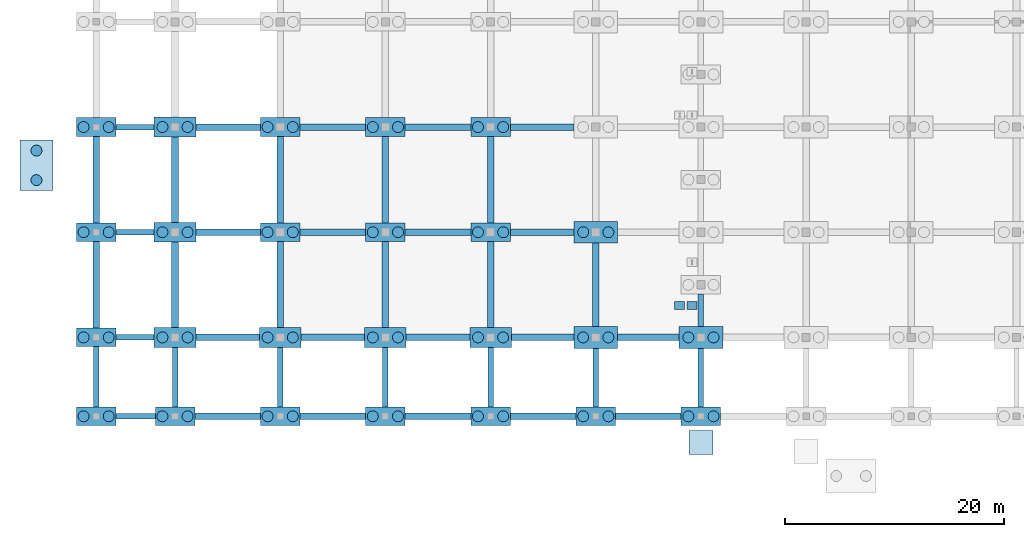
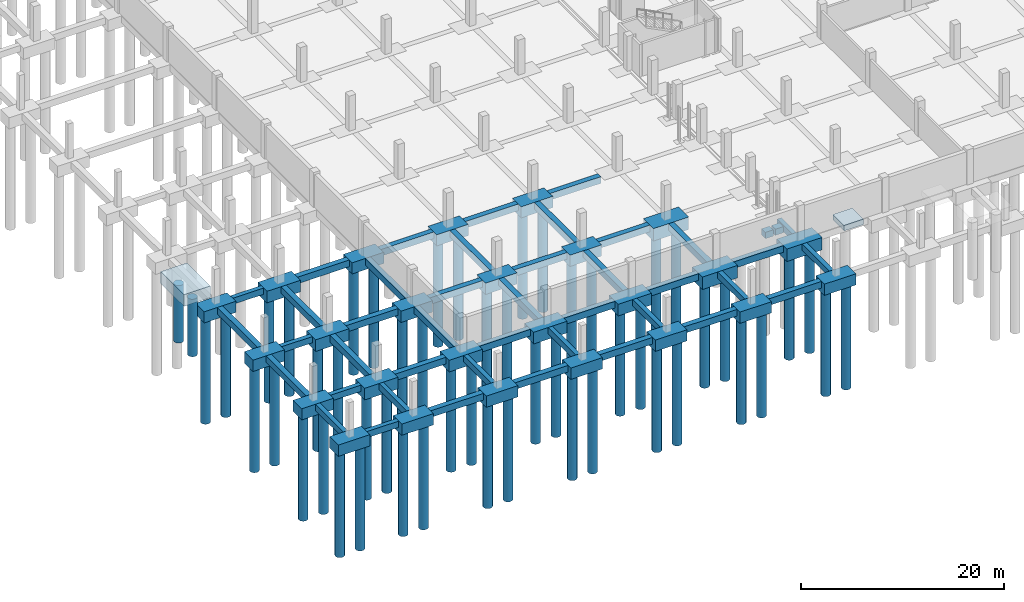
# One storey, part 1 of 54: 70 footings, 52 piles.
"""IFC4 building model written with IfcOpenShell, lengths in metres."""

import ifcopenshell
import ifcopenshell.guid

model = None  # the IFC model being written
_history = None  # IfcOwnerHistory: only IFC2X3 demands one
_inside = {}  # id of a spatial element -> (the spatial element, [elements in it])
_under = {}  # id of a project, library or spatial element -> (it, [spatial elements below it])
_declared = {}  # id of a project -> (the project, [libraries it declares])
_typed = {}  # id of a type object -> (the type object, [elements of that type])
_made_of = {}  # id of a material, layer set ... -> (it, [elements and type objects made of it])


def new_model(schema):
    """Start an empty IFC model of exactly this schema.

    Asked for "IFC4X3", IfcOpenShell would pick the latest addendum, in which some entities
    have other attributes; the version numbers below select the first issue.
    IFC2X3 requires an IfcOwnerHistory on every rooted entity: one is made here for all.
    """
    global model, _history
    if schema == "IFC4X3":
        model = ifcopenshell.file(schema_version=(4, 3, 0, 0))
    else:
        model = ifcopenshell.file(schema=schema)
    _inside.clear()
    _under.clear()
    _declared.clear()
    _typed.clear()
    _made_of.clear()
    _history = None
    if model.schema == "IFC2X3":
        org = make("IfcOrganization", Name="unknown")
        user = make(
            "IfcPersonAndOrganization",
            ThePerson=make("IfcPerson", FamilyName="unknown"),
            TheOrganization=org,
        )
        app = make(
            "IfcApplication",
            ApplicationDeveloper=org,
            Version="unknown",
            ApplicationFullName="unknown",
            ApplicationIdentifier="unknown",
        )
        _history = make(
            "IfcOwnerHistory",
            OwningUser=user,
            OwningApplication=app,
            ChangeAction="ADDED",
            CreationDate=0,
        )
    return model


def make(cls, **values):
    """One entity of the class cls with the attributes given. An attribute that is None is left unset."""
    return model.create_entity(
        cls, **{name: value for name, value in values.items() if value is not None}
    )


def rooted(cls, **values):
    """An entity with a GlobalId (a new one), such as an element, a storey or a relation."""
    return make(cls, GlobalId=ifcopenshell.guid.new(), OwnerHistory=_history, **values)


def si_unit(unit_type, name, prefix=None):
    """IfcSIUnit, for example si_unit("LENGTHUNIT", "METRE", prefix="MILLI")."""
    return make("IfcSIUnit", UnitType=unit_type, Prefix=prefix, Name=name)


def assignment(units):
    """IfcUnitAssignment: the units of a project."""
    return None if units is None else make("IfcUnitAssignment", Units=units)


def point(xyz):
    """IfcCartesianPoint."""
    return None if xyz is None else make("IfcCartesianPoint", Coordinates=xyz)


def direction(xyz):
    """IfcDirection."""
    return None if xyz is None else make("IfcDirection", DirectionRatios=xyz)


def frame(location, z_axis=None, x_axis=None):
    """IfcAxis2Placement3D, a coordinate frame: its origin and axes. An axis left out is left unset."""
    return make(
        "IfcAxis2Placement3D",
        Location=point(location),
        Axis=direction(z_axis),
        RefDirection=direction(x_axis),
    )


def frame_2d(location, x_axis=None):
    """IfcAxis2Placement2D, a coordinate frame in the plane: its origin and x axis."""
    return make(
        "IfcAxis2Placement2D", Location=point(location), RefDirection=direction(x_axis)
    )


def origin():
    """The frame at (0, 0, 0) with its axes left unset."""
    return frame((0.0, 0.0, 0.0))


def origin_2d():
    """The frame at (0, 0) in the plane with its x axis left unset."""
    return frame_2d((0.0, 0.0))


def place(relative_to, where):
    """IfcLocalPlacement: puts the frame where relative to a parent placement (None: the world)."""
    return make(
        "IfcLocalPlacement", PlacementRelTo=relative_to, RelativePlacement=where
    )


def context(
    kind, dimensions, precision=None, world=None, true_north=None, identifier=None
):
    """IfcGeometricRepresentationContext, for example the 3D "Model" context."""
    return make(
        "IfcGeometricRepresentationContext",
        ContextIdentifier=identifier,
        ContextType=kind,
        CoordinateSpaceDimension=dimensions,
        Precision=precision,
        WorldCoordinateSystem=world,
        TrueNorth=true_north,
    )


def subcontext(parent, identifier, kind, view, scale=None):
    """IfcGeometricRepresentationSubContext, for example "Body" below "Model"."""
    return make(
        "IfcGeometricRepresentationSubContext",
        ContextIdentifier=identifier,
        ContextType=kind,
        ParentContext=parent,
        TargetScale=scale,
        TargetView=view,
    )


def project(units=None, contexts=None):
    """IfcProject with its units and contexts."""
    return rooted(
        "IfcProject",
        Name="project",
        RepresentationContexts=contexts,
        UnitsInContext=assignment(units),
    )


def spatial(cls, under=None, at=None, **own):
    """A site, building, storey or space (cls), placed at a placement, below another one or the project."""
    s = rooted(cls, ObjectPlacement=at, **own)
    if under is not None:
        _under.setdefault(under.id(), (under, []))[1].append(s)
    return s


def profile(cls, at=None, kind="AREA", **sizes):
    """A parametric profile (cls). Its sizes go by their IFC names, for example OverallWidth=200.0."""
    return make(cls, ProfileType=kind, Position=at, **sizes)


def rectangle(**sizes):
    """IfcRectangleProfileDef."""
    return profile("IfcRectangleProfileDef", **sizes)


def circle(**sizes):
    """IfcCircleProfileDef."""
    return profile("IfcCircleProfileDef", **sizes)


def extrude(swept, where, along, depth):
    """IfcExtrudedAreaSolid: the profile swept, set in the frame where, extruded along a direction by depth."""
    return make(
        "IfcExtrudedAreaSolid",
        SweptArea=swept,
        Position=where,
        ExtrudedDirection=direction(along),
        Depth=depth,
    )


def shape(context_of_items, identifier, shape_type, items):
    """IfcShapeRepresentation: the items that make up one representation, for example the "Body"."""
    return make(
        "IfcShapeRepresentation",
        ContextOfItems=context_of_items,
        RepresentationIdentifier=identifier,
        RepresentationType=shape_type,
        Items=items,
    )


def material(Name=None, Category=None):
    """IfcMaterial."""
    return make("IfcMaterial", Name=Name, Category=Category)


def material_profile(
    of_material, cross_section, Name=None, Category=None, Priority=None
):
    """IfcMaterialProfile: a cross section and its material."""
    return make(
        "IfcMaterialProfile",
        Name=Name,
        Material=of_material,
        Profile=cross_section,
        Priority=Priority,
        Category=Category,
    )


def profile_set(profiles, Name=None, composite=None):
    """IfcMaterialProfileSet."""
    return make(
        "IfcMaterialProfileSet",
        Name=Name,
        MaterialProfiles=profiles,
        CompositeProfile=composite,
    )


def made_of(thing, what):
    """Note that an element or type object is made of a material, layer set ...; save() writes the relation."""
    if what is not None:
        _made_of.setdefault(what.id(), (what, []))[1].append(thing)
    return thing


def type_object(cls, material=None, **own):
    """A type object (cls), such as IfcWallType, which elements share."""
    return made_of(rooted(cls, **own), material)


def element(
    cls,
    number,
    at=None,
    inside=None,
    cuts=None,
    type_object=None,
    material=None,
    context=None,
    identifier="Body",
    shape_type=None,
    held_by="IfcProductDefinitionShape",
    body=None,
    shapes=None,
    **own,
):
    """One element of the class cls, such as IfcWall. Its Tag is "e" and its number.

    at: its placement. inside: the storey or other place that contains it. cuts: it is an
    opening in that element (IfcRelVoidsElement). A single representation is given by context,
    identifier, shape_type and body (its items); several are given by shapes. held_by: the class
    of the entity that holds the representations. save() writes the other relations.
    """
    e = rooted(cls, Tag="e%d" % number, ObjectPlacement=at, **own)
    if body is not None:
        shapes = [shape(context, identifier, shape_type, body)]
    if shapes is not None:
        e.Representation = make(held_by, Representations=shapes)
    if inside is not None:
        _inside.setdefault(inside.id(), (inside, []))[1].append(e)
    if cuts is not None:
        rooted(
            "IfcRelVoidsElement", RelatingBuildingElement=cuts, RelatedOpeningElement=e
        )
    if type_object is not None:
        _typed.setdefault(type_object.id(), (type_object, []))[1].append(e)
    return made_of(e, material)


def aggregate(whole, parts):
    """IfcRelAggregates: a whole, such as a stair, and the parts it consists of."""
    return rooted("IfcRelAggregates", RelatingObject=whole, RelatedObjects=parts)


def save(model, path):
    """Write the relations noted so far, then the file.

    IfcRelAggregates (storeys below a building ...), IfcRelContainedInSpatialStructure (elements
    in a storey), IfcRelDefinesByType, IfcRelAssociatesMaterial and IfcRelDeclares: one each for
    every whole, place, type object, material and project.
    """
    for whole, parts in _under.values():
        aggregate(whole, parts)
    for where, things in _inside.values():
        rooted(
            "IfcRelContainedInSpatialStructure",
            RelatedElements=things,
            RelatingStructure=where,
        )
    for kind, things in _typed.values():
        rooted("IfcRelDefinesByType", RelatedObjects=things, RelatingType=kind)
    for what, things in _made_of.values():
        rooted("IfcRelAssociatesMaterial", RelatedObjects=things, RelatingMaterial=what)
    for by, libraries in _declared.values():
        rooted("IfcRelDeclares", RelatingContext=by, RelatedDefinitions=libraries)
    model.write(path)


model = new_model("IFC4")

# Units and contexts
model_context = context("Model", 3, precision=1e-05, world=origin(), true_north=direction((0.0, 1.0)))
body_context = subcontext(model_context, "Body", "Model", "MODEL_VIEW")
ifc_project = project(units=[si_unit("LENGTHUNIT", "METRE"), si_unit("AREAUNIT", "SQUARE_METRE"), si_unit("VOLUMEUNIT", "CUBIC_METRE"), si_unit("PLANEANGLEUNIT", "RADIAN"), si_unit("MASSUNIT", "GRAM", prefix="KILO")], contexts=[model_context])

# Site, building, storey
site_placement = place(None, origin())
site = spatial("IfcSite", under=ifc_project, at=site_placement, CompositionType="ELEMENT")
building_placement = place(site_placement, origin())
building = spatial("IfcBuilding", under=site, at=building_placement, Name="Zevrakil Square Congress Hotel", CompositionType="ELEMENT")
storey_placement = place(building_placement, frame((0.0, 0.0, -8.39990234375)))
storey = spatial("IfcBuildingStorey", under=building, at=storey_placement, Name="B2", CompositionType="ELEMENT", Elevation=-8.39990234375)

# Footings
ifc_material_1 = material(Name="Concrete C35/45", Category="concrete")
footing_type_1 = type_object("IfcFootingType", Name="FTG-PAD-2200", PredefinedType="PAD_FOOTING", material=ifc_material_1)
footing_1_placement = place(storey_placement, frame((55.199951171875, -2.39990234375, 7.75), z_axis=(0.0, 0.0, 1.0), x_axis=(1.0, 0.0, 0.0)))
element("IfcFooting", 1, at=footing_1_placement, inside=storey, type_object=footing_type_1, Name="South entrance canopy pad footing CPC-01", PredefinedType="PAD_FOOTING", context=body_context, shape_type="SweptSolid", body=[
    extrude(rectangle(XDim=2.199951171875, YDim=2.199951171875, at=origin_2d()), origin(), (0.0, 0.0, 1.0), 0.64990234375),
])
ifc_material_2 = material(Name="Concrete C35/45", Category="concrete")
footing_type_2 = type_object("IfcFootingType", Name="FTG-PC2-300x460", PredefinedType="PILE_CAP", material=ifc_material_2)
footing_2_placement = place(storey_placement, frame((-5.449951171875, 22.89990234375, 5.449951171875), z_axis=(0.0, 0.0, 1.0), x_axis=(1.0, 0.0, 0.0)))
element("IfcFooting", 2, at=footing_2_placement, inside=storey, type_object=footing_type_2, Name="Accessible ramp apron two-pile cap PR-03", PredefinedType="PILE_CAP", context=body_context, shape_type="SweptSolid", body=[
    extrude(rectangle(XDim=3.0, YDim=4.60009765625, at=origin_2d()), origin(), (0.0, 0.0, 1.0), 1.39990234375),
])
ifc_material_3 = material(Name="Concrete C35/45", Category="concrete")
footing_type_3 = type_object("IfcFootingType", Name="FTG-PC2-360", PredefinedType="PILE_CAP", material=ifc_material_3)
for number, where, z_axis, x_axis, name in (
    (3, (0.0, 0.0, -1.35009765625), (0.0, 0.0, 1.0), (1.0, 0.0, 0.0), "Pile cap PC2-001"),
    (4, (0.0, 7.199951171875, -1.35009765625), (0.0, 0.0, 1.0), (1.0, 0.0, 0.0), "Pile cap PC2-002"),
    (5, (0.0, 16.800048828125, -1.35009765625), (0.0, 0.0, 1.0), (1.0, 0.0, 0.0), "Pile cap PC2-003"),
    (6, (0.0, 26.39990234375, -1.35009765625), (0.0, 0.0, 1.0), (1.0, 0.0, 0.0), "Pile cap PC2-004"),
    (7, (7.199951171875, 0.0, -1.35009765625), (0.0, 0.0, 1.0), (1.0, 0.0, 0.0), "Pile cap PC2-014"),
    (8, (16.800048828125, 0.0, -1.35009765625), (0.0, 0.0, 1.0), (1.0, 0.0, 0.0), "Pile cap PC2-028"),
    (9, (16.800048828125, 16.800048828125, -1.35009765625), (0.0, 0.0, 1.0), (1.0, 0.0, 0.0), "Pile cap PC2-030"),
    (10, (16.800048828125, 26.39990234375, -1.35009765625), (0.0, 0.0, 1.0), (1.0, 0.0, 0.0), "Pile cap PC2-031"),
    (11, (26.39990234375, 0.0, -1.35009765625), (0.0, 0.0, 1.0), (1.0, 0.0, 0.0), "Pile cap PC2-042"),
    (12, (26.39990234375, 16.800048828125, -1.35009765625), (0.0, 0.0, 1.0), (1.0, 0.0, 0.0), "Pile cap PC2-044"),
    (13, (26.39990234375, 26.39990234375, -1.35009765625), (0.0, 0.0, 1.0), (1.0, 0.0, 0.0), "Pile cap PC2-045"),
    (14, (36.0, 0.0, -1.35009765625), (0.0, 0.0, 1.0), (1.0, 0.0, 0.0), "Pile cap PC2-056"),
    (15, (36.0, 16.800048828125, -1.35009765625), (0.0, 0.0, 1.0), (1.0, 0.0, 0.0), "Pile cap PC2-058"),
    (16, (36.0, 26.39990234375, -1.35009765625), (0.0, 0.0, 1.0), (1.0, 0.0, 0.0), "Pile cap PC2-059"),
    (17, (45.60009765625, 0.0, -1.35009765625), (0.0, 0.0, 1.0), (1.0, 0.0, 0.0), "Pile cap PC2-070"),
    (18, (55.199951171875, 0.0, -1.35009765625), (0.0, 0.0, 1.0), (1.0, 0.0, 0.0), "Pile cap PC2-084"),
):
    element("IfcFooting", number, at=place(storey_placement, frame(where, z_axis=z_axis, x_axis=x_axis)), inside=storey, type_object=footing_type_3, Name=name, PredefinedType="PILE_CAP", context=body_context, shape_type="SweptSolid", body=[
        extrude(rectangle(XDim=3.60009765625, YDim=1.699951171875, at=origin_2d()), origin(), (0.0, 0.0, 1.0), 1.35009765625),
    ])
ifc_material_4 = material(Name="Concrete C35/45", Category="concrete")
footing_type_4 = type_object("IfcFootingType", Name="FTG-PC2-380", PredefinedType="PILE_CAP", material=ifc_material_4)
for number, where, z_axis, x_axis, name in (
    (19, (7.199951171875, 7.199951171875, -1.400146484375), (0.0, 0.0, 1.0), (1.0, 0.0, 0.0), "Pile cap PC2-015"),
    (20, (7.199951171875, 16.800048828125, -1.400146484375), (0.0, 0.0, 1.0), (1.0, 0.0, 0.0), "Pile cap PC2-016"),
    (21, (7.199951171875, 26.39990234375, -1.400146484375), (0.0, 0.0, 1.0), (1.0, 0.0, 0.0), "Pile cap PC2-017"),
    (22, (16.800048828125, 7.199951171875, -1.400146484375), (0.0, 0.0, 1.0), (1.0, 0.0, 0.0), "Pile cap PC2-029"),
    (23, (26.39990234375, 7.199951171875, -1.400146484375), (0.0, 0.0, 1.0), (1.0, 0.0, 0.0), "Pile cap PC2-043"),
    (24, (36.0, 7.199951171875, -1.400146484375), (0.0, 0.0, 1.0), (1.0, 0.0, 0.0), "Pile cap PC2-057"),
):
    element("IfcFooting", number, at=place(storey_placement, frame(where, z_axis=z_axis, x_axis=x_axis)), inside=storey, type_object=footing_type_4, Name=name, PredefinedType="PILE_CAP", context=body_context, shape_type="SweptSolid", body=[
        extrude(rectangle(XDim=3.800048828125, YDim=1.800048828125, at=origin_2d()), origin(), (0.0, 0.0, 1.0), 1.39990234375),
    ])
ifc_material_5 = material(Name="Concrete C35/45", Category="concrete")
footing_type_5 = type_object("IfcFootingType", Name="FTG-PC2-400", PredefinedType="PILE_CAP", material=ifc_material_5)
for number, where, z_axis, x_axis, name in (
    (25, (45.60009765625, 7.199951171875, -1.5), (0.0, 0.0, 1.0), (1.0, 0.0, 0.0), "Pile cap PC2-071"),
    (26, (45.60009765625, 16.800048828125, -1.5), (0.0, 0.0, 1.0), (1.0, 0.0, 0.0), "Pile cap PC2-072"),
    (27, (55.199951171875, 7.199951171875, -1.5), (0.0, 0.0, 1.0), (1.0, 0.0, 0.0), "Pile cap PC2-085"),
):
    element("IfcFooting", number, at=place(storey_placement, frame(where, z_axis=z_axis, x_axis=x_axis)), inside=storey, type_object=footing_type_5, Name=name, PredefinedType="PILE_CAP", context=body_context, shape_type="SweptSolid", body=[
        extrude(rectangle(XDim=4.0, YDim=2.0, at=origin_2d()), origin(), (0.0, 0.0, 1.0), 1.5),
    ])
ifc_material_6 = material(Name="Concrete C35/45", Category="concrete")
ifc_material_profile_1 = material_profile(ifc_material_6, rectangle(XDim=0.75, YDim=0.75, at=origin_2d()), Name="RC 750x750")
ifc_profile_set_1 = profile_set([ifc_material_profile_1], Name="Concrete C35/45")
footing_type_6 = type_object("IfcFootingType", Name="FTG-STRIP-750", PredefinedType="STRIP_FOOTING", material=ifc_profile_set_1)
footing_3_placement = place(storey_placement, frame((52.800048828125, 10.10009765625, -0.375), z_axis=(1.0, 0.0, 0.0), x_axis=(0.0, 1.0, 0.0)))
element("IfcFooting", 28, at=footing_3_placement, inside=storey, type_object=footing_type_6, Name="B2 stair post footing ST12-1", PredefinedType="STRIP_FOOTING", context=body_context, shape_type="SweptSolid", body=[
    extrude(rectangle(XDim=0.75, YDim=0.75, at=origin_2d()), origin(), (0.0, 0.0, 1.0), 0.89990234375),
])
footing_4_placement = place(storey_placement, frame((53.929931640625, 10.10009765625, -0.375), z_axis=(1.0, 0.0, 0.0), x_axis=(0.0, 1.0, 0.0)))
element("IfcFooting", 29, at=footing_4_placement, inside=storey, type_object=footing_type_6, Name="B2 stair post footing ST12-2", PredefinedType="STRIP_FOOTING", context=body_context, shape_type="SweptSolid", body=[
    extrude(rectangle(XDim=0.75, YDim=0.75, at=origin_2d()), origin(), (0.0, 0.0, 1.0), 0.900146484375),
])
ifc_material_7 = material(Name="Concrete C35/45", Category="concrete")
ifc_material_profile_2 = material_profile(ifc_material_7, rectangle(XDim=0.5, YDim=0.75, at=origin_2d()), Name="RC 500x750")
ifc_profile_set_2 = profile_set([ifc_material_profile_2], Name="Concrete C35/45")
footing_type_7 = type_object("IfcFootingType", Name="FTG-TIE-500x750", PredefinedType="FOOTING_BEAM", material=ifc_profile_set_2)
footing_5_placement = place(storey_placement, frame((1.800048828125, 0.0, -0.375), z_axis=(1.0, 0.0, 0.0), x_axis=(0.0, 1.0, 0.0)))
element("IfcFooting", 30, at=footing_5_placement, inside=storey, type_object=footing_type_7, Name="Ground tie beam GB-001", PredefinedType="FOOTING_BEAM", context=body_context, shape_type="SweptSolid", body=[
    extrude(rectangle(XDim=0.5, YDim=0.75, at=origin_2d()), origin(), (0.0, 0.0, 1.0), 3.599853515625),
])
for number, where, z_axis, x_axis, name in (
    (31, (1.800048828125, 7.199951171875, -0.375), (1.0, 0.0, 0.0), (0.0, 1.0, 0.0), "Ground tie beam GB-020"),
    (32, (1.800048828125, 16.800048828125, -0.375), (1.0, 0.0, 0.0), (0.0, 1.0, 0.0), "Ground tie beam GB-036"),
    (33, (1.800048828125, 26.39990234375, -0.375), (1.0, 0.0, 0.0), (0.0, 1.0, 0.0), "Ground tie beam GB-054"),
):
    element("IfcFooting", number, at=place(storey_placement, frame(where, z_axis=z_axis, x_axis=x_axis)), inside=storey, type_object=footing_type_7, Name=name, PredefinedType="FOOTING_BEAM", context=body_context, shape_type="SweptSolid", body=[
        extrude(rectangle(XDim=0.5, YDim=0.75, at=origin_2d()), origin(), (0.0, 0.0, 1.0), 3.5),
    ])
footing_6_placement = place(storey_placement, frame((0.0, 0.85009765625, -0.375), z_axis=(0.0, 1.0, 0.0), x_axis=(-1.0, 0.0, 0.0)))
element("IfcFooting", 34, at=footing_6_placement, inside=storey, type_object=footing_type_7, Name="Ground tie beam GB-215", PredefinedType="FOOTING_BEAM", context=body_context, shape_type="SweptSolid", body=[
    extrude(rectangle(XDim=0.5, YDim=0.75, at=origin_2d()), origin(), (0.0, 0.0, 1.0), 5.5),
])
for number, where, z_axis, x_axis, name in (
    (35, (7.199951171875, 0.85009765625, -0.375), (0.0, 1.0, 0.0), (-1.0, 0.0, 0.0), "Ground tie beam GB-227"),
    (36, (16.800048828125, 0.85009765625, -0.375), (0.0, 1.0, 0.0), (-1.0, 0.0, 0.0), "Ground tie beam GB-237"),
    (37, (26.39990234375, 0.85009765625, -0.375), (0.0, 1.0, 0.0), (-1.0, 0.0, 0.0), "Ground tie beam GB-250"),
    (38, (36.0, 0.85009765625, -0.375), (0.0, 1.0, 0.0), (-1.0, 0.0, 0.0), "Ground tie beam GB-262"),
):
    element("IfcFooting", number, at=place(storey_placement, frame(where, z_axis=z_axis, x_axis=x_axis)), inside=storey, type_object=footing_type_7, Name=name, PredefinedType="FOOTING_BEAM", context=body_context, shape_type="SweptSolid", body=[
        extrude(rectangle(XDim=0.5, YDim=0.75, at=origin_2d()), origin(), (0.0, 0.0, 1.0), 5.449951171875),
    ])
for number, where, z_axis, x_axis, name in (
    (39, (45.60009765625, 0.85009765625, -0.375), (0.0, 1.0, 0.0), (-1.0, 0.0, 0.0), "Ground tie beam GB-275"),
    (40, (55.199951171875, 0.85009765625, -0.375), (0.0, 1.0, 0.0), (-1.0, 0.0, 0.0), "Ground tie beam GB-288"),
):
    element("IfcFooting", number, at=place(storey_placement, frame(where, z_axis=z_axis, x_axis=x_axis)), inside=storey, type_object=footing_type_7, Name=name, PredefinedType="FOOTING_BEAM", context=body_context, shape_type="SweptSolid", body=[
        extrude(rectangle(XDim=0.5, YDim=0.75, at=origin_2d()), origin(), (0.0, 0.0, 1.0), 5.349853515625),
    ])
footing_7_placement = place(storey_placement, frame((55.199951171875, 8.199951171875, -0.375), z_axis=(0.0, 1.0, 0.0), x_axis=(-1.0, 0.0, 0.0)))
element("IfcFooting", 41, at=footing_7_placement, inside=storey, type_object=footing_type_7, Name="Ground tie beam GB-289", PredefinedType="FOOTING_BEAM", context=body_context, shape_type="SweptSolid", body=[
    extrude(rectangle(XDim=0.5, YDim=0.75, at=origin_2d()), origin(), (0.0, 0.0, 1.0), 2.949951171875),
])
ifc_material_8 = material(Name="Concrete C35/45", Category="concrete")
ifc_material_profile_3 = material_profile(ifc_material_8, rectangle(XDim=0.60009765625, YDim=0.800048828125, at=origin_2d()), Name="RC 600x800")
ifc_profile_set_3 = profile_set([ifc_material_profile_3], Name="Concrete C35/45")
footing_type_8 = type_object("IfcFootingType", Name="FTG-TIE-600x800", PredefinedType="FOOTING_BEAM", material=ifc_profile_set_3)
for number, where, z_axis, x_axis, name in (
    (42, (9.0, 0.0, -0.400146484375), (1.0, 0.0, 0.0), (0.0, 1.0, 0.0), "Ground tie beam GB-002"),
    (43, (18.60009765625, 0.0, -0.400146484375), (1.0, 0.0, 0.0), (0.0, 1.0, 0.0), "Ground tie beam GB-003"),
    (44, (28.199951171875, 0.0, -0.400146484375), (1.0, 0.0, 0.0), (0.0, 1.0, 0.0), "Ground tie beam GB-004"),
    (45, (37.800048828125, 0.0, -0.400146484375), (1.0, 0.0, 0.0), (0.0, 1.0, 0.0), "Ground tie beam GB-005"),
    (46, (47.39990234375, 0.0, -0.400146484375), (1.0, 0.0, 0.0), (0.0, 1.0, 0.0), "Ground tie beam GB-006"),
):
    element("IfcFooting", number, at=place(storey_placement, frame(where, z_axis=z_axis, x_axis=x_axis)), inside=storey, type_object=footing_type_8, Name=name, PredefinedType="FOOTING_BEAM", context=body_context, shape_type="SweptSolid", body=[
        extrude(rectangle(XDim=0.60009765625, YDim=0.800048828125, at=origin_2d()), origin(), (0.0, 0.0, 1.0), 6.0),
    ])
footing_8_placement = place(storey_placement, frame((9.10009765625, 7.199951171875, -0.400146484375), z_axis=(1.0, 0.0, 0.0), x_axis=(0.0, 1.0, 0.0)))
element("IfcFooting", 47, at=footing_8_placement, inside=storey, type_object=footing_type_8, Name="Ground tie beam GB-021", PredefinedType="FOOTING_BEAM", context=body_context, shape_type="SweptSolid", body=[
    extrude(rectangle(XDim=0.60009765625, YDim=0.800048828125, at=origin_2d()), origin(), (0.0, 0.0, 1.0), 5.7998046875),
])
for number, where, z_axis, x_axis, name in (
    (48, (18.699951171875, 7.199951171875, -0.400146484375), (1.0, 0.0, 0.0), (0.0, 1.0, 0.0), "Ground tie beam GB-022"),
    (49, (28.300048828125, 7.199951171875, -0.400146484375), (1.0, 0.0, 0.0), (0.0, 1.0, 0.0), "Ground tie beam GB-023"),
):
    element("IfcFooting", number, at=place(storey_placement, frame(where, z_axis=z_axis, x_axis=x_axis)), inside=storey, type_object=footing_type_8, Name=name, PredefinedType="FOOTING_BEAM", context=body_context, shape_type="SweptSolid", body=[
        extrude(rectangle(XDim=0.60009765625, YDim=0.800048828125, at=origin_2d()), origin(), (0.0, 0.0, 1.0), 5.800048828125),
    ])
footing_9_placement = place(storey_placement, frame((37.89990234375, 7.199951171875, -0.400146484375), z_axis=(1.0, 0.0, 0.0), x_axis=(0.0, 1.0, 0.0)))
element("IfcFooting", 50, at=footing_9_placement, inside=storey, type_object=footing_type_8, Name="Ground tie beam GB-024", PredefinedType="FOOTING_BEAM", context=body_context, shape_type="SweptSolid", body=[
    extrude(rectangle(XDim=0.60009765625, YDim=0.800048828125, at=origin_2d()), origin(), (0.0, 0.0, 1.0), 5.7001953125),
])
footing_10_placement = place(storey_placement, frame((47.60009765625, 7.199951171875, -0.400146484375), z_axis=(1.0, 0.0, 0.0), x_axis=(0.0, 1.0, 0.0)))
element("IfcFooting", 51, at=footing_10_placement, inside=storey, type_object=footing_type_8, Name="Ground tie beam GB-025", PredefinedType="FOOTING_BEAM", context=body_context, shape_type="SweptSolid", body=[
    extrude(rectangle(XDim=0.60009765625, YDim=0.800048828125, at=origin_2d()), origin(), (0.0, 0.0, 1.0), 5.599853515625),
])
footing_11_placement = place(storey_placement, frame((9.10009765625, 16.800048828125, -0.400146484375), z_axis=(1.0, 0.0, 0.0), x_axis=(0.0, 1.0, 0.0)))
element("IfcFooting", 52, at=footing_11_placement, inside=storey, type_object=footing_type_8, Name="Ground tie beam GB-037", PredefinedType="FOOTING_BEAM", context=body_context, shape_type="SweptSolid", body=[
    extrude(rectangle(XDim=0.60009765625, YDim=0.800048828125, at=origin_2d()), origin(), (0.0, 0.0, 1.0), 5.89990234375),
])
for number, where, z_axis, x_axis, name in (
    (53, (18.60009765625, 16.800048828125, -0.400146484375), (1.0, 0.0, 0.0), (0.0, 1.0, 0.0), "Ground tie beam GB-038"),
    (54, (28.199951171875, 16.800048828125, -0.400146484375), (1.0, 0.0, 0.0), (0.0, 1.0, 0.0), "Ground tie beam GB-039"),
):
    element("IfcFooting", number, at=place(storey_placement, frame(where, z_axis=z_axis, x_axis=x_axis)), inside=storey, type_object=footing_type_8, Name=name, PredefinedType="FOOTING_BEAM", context=body_context, shape_type="SweptSolid", body=[
        extrude(rectangle(XDim=0.60009765625, YDim=0.800048828125, at=origin_2d()), origin(), (0.0, 0.0, 1.0), 6.0),
    ])
footing_12_placement = place(storey_placement, frame((37.800048828125, 16.800048828125, -0.400146484375), z_axis=(1.0, 0.0, 0.0), x_axis=(0.0, 1.0, 0.0)))
element("IfcFooting", 55, at=footing_12_placement, inside=storey, type_object=footing_type_8, Name="Ground tie beam GB-040", PredefinedType="FOOTING_BEAM", context=body_context, shape_type="SweptSolid", body=[
    extrude(rectangle(XDim=0.60009765625, YDim=0.800048828125, at=origin_2d()), origin(), (0.0, 0.0, 1.0), 5.800048828125),
])
footing_13_placement = place(storey_placement, frame((9.10009765625, 26.39990234375, -0.400146484375), z_axis=(1.0, 0.0, 0.0), x_axis=(0.0, 1.0, 0.0)))
element("IfcFooting", 56, at=footing_13_placement, inside=storey, type_object=footing_type_8, Name="Ground tie beam GB-055", PredefinedType="FOOTING_BEAM", context=body_context, shape_type="SweptSolid", body=[
    extrude(rectangle(XDim=0.60009765625, YDim=0.800048828125, at=origin_2d()), origin(), (0.0, 0.0, 1.0), 5.89990234375),
])
for number, where, z_axis, x_axis, name in (
    (57, (18.60009765625, 26.39990234375, -0.400146484375), (1.0, 0.0, 0.0), (0.0, 1.0, 0.0), "Ground tie beam GB-056"),
    (58, (28.199951171875, 26.39990234375, -0.400146484375), (1.0, 0.0, 0.0), (0.0, 1.0, 0.0), "Ground tie beam GB-057"),
):
    element("IfcFooting", number, at=place(storey_placement, frame(where, z_axis=z_axis, x_axis=x_axis)), inside=storey, type_object=footing_type_8, Name=name, PredefinedType="FOOTING_BEAM", context=body_context, shape_type="SweptSolid", body=[
        extrude(rectangle(XDim=0.60009765625, YDim=0.800048828125, at=origin_2d()), origin(), (0.0, 0.0, 1.0), 6.0),
    ])
footing_14_placement = place(storey_placement, frame((37.800048828125, 26.39990234375, -0.400146484375), z_axis=(1.0, 0.0, 0.0), x_axis=(0.0, 1.0, 0.0)))
element("IfcFooting", 59, at=footing_14_placement, inside=storey, type_object=footing_type_8, Name="Ground tie beam GB-058", PredefinedType="FOOTING_BEAM", context=body_context, shape_type="SweptSolid", body=[
    extrude(rectangle(XDim=0.60009765625, YDim=0.800048828125, at=origin_2d()), origin(), (0.0, 0.0, 1.0), 5.800048828125),
])
footing_15_placement = place(storey_placement, frame((0.0, 8.050048828125, -0.400146484375), z_axis=(0.0, 1.0, 0.0), x_axis=(-1.0, 0.0, 0.0)))
element("IfcFooting", 60, at=footing_15_placement, inside=storey, type_object=footing_type_8, Name="Ground tie beam GB-216", PredefinedType="FOOTING_BEAM", context=body_context, shape_type="SweptSolid", body=[
    extrude(rectangle(XDim=0.60009765625, YDim=0.800048828125, at=origin_2d()), origin(), (0.0, 0.0, 1.0), 7.89990234375),
])
footing_16_placement = place(storey_placement, frame((0.0, 17.64990234375, -0.400146484375), z_axis=(0.0, 1.0, 0.0), x_axis=(-1.0, 0.0, 0.0)))
element("IfcFooting", 61, at=footing_16_placement, inside=storey, type_object=footing_type_8, Name="Ground tie beam GB-217", PredefinedType="FOOTING_BEAM", context=body_context, shape_type="SweptSolid", body=[
    extrude(rectangle(XDim=0.60009765625, YDim=0.800048828125, at=origin_2d()), origin(), (0.0, 0.0, 1.0), 7.900146484375),
])
footing_17_placement = place(storey_placement, frame((7.199951171875, 8.10009765625, -0.400146484375), z_axis=(0.0, 1.0, 0.0), x_axis=(-1.0, 0.0, 0.0)))
element("IfcFooting", 62, at=footing_17_placement, inside=storey, type_object=footing_type_8, Name="Ground tie beam GB-228", PredefinedType="FOOTING_BEAM", context=body_context, shape_type="SweptSolid", body=[
    extrude(rectangle(XDim=0.60009765625, YDim=0.800048828125, at=origin_2d()), origin(), (0.0, 0.0, 1.0), 7.7998046875),
])
footing_18_placement = place(storey_placement, frame((7.199951171875, 17.699951171875, -0.400146484375), z_axis=(0.0, 1.0, 0.0), x_axis=(-1.0, 0.0, 0.0)))
element("IfcFooting", 63, at=footing_18_placement, inside=storey, type_object=footing_type_8, Name="Ground tie beam GB-229", PredefinedType="FOOTING_BEAM", context=body_context, shape_type="SweptSolid", body=[
    extrude(rectangle(XDim=0.60009765625, YDim=0.800048828125, at=origin_2d()), origin(), (0.0, 0.0, 1.0), 7.800048828125),
])
footing_19_placement = place(storey_placement, frame((16.800048828125, 8.10009765625, -0.400146484375), z_axis=(0.0, 1.0, 0.0), x_axis=(-1.0, 0.0, 0.0)))
element("IfcFooting", 64, at=footing_19_placement, inside=storey, type_object=footing_type_8, Name="Ground tie beam GB-238", PredefinedType="FOOTING_BEAM", context=body_context, shape_type="SweptSolid", body=[
    extrude(rectangle(XDim=0.60009765625, YDim=0.800048828125, at=origin_2d()), origin(), (0.0, 0.0, 1.0), 7.849853515625),
])
footing_20_placement = place(storey_placement, frame((16.800048828125, 17.64990234375, -0.400146484375), z_axis=(0.0, 1.0, 0.0), x_axis=(-1.0, 0.0, 0.0)))
element("IfcFooting", 65, at=footing_20_placement, inside=storey, type_object=footing_type_8, Name="Ground tie beam GB-239", PredefinedType="FOOTING_BEAM", context=body_context, shape_type="SweptSolid", body=[
    extrude(rectangle(XDim=0.60009765625, YDim=0.800048828125, at=origin_2d()), origin(), (0.0, 0.0, 1.0), 7.900146484375),
])
footing_21_placement = place(storey_placement, frame((26.39990234375, 8.10009765625, -0.400146484375), z_axis=(0.0, 1.0, 0.0), x_axis=(-1.0, 0.0, 0.0)))
element("IfcFooting", 66, at=footing_21_placement, inside=storey, type_object=footing_type_8, Name="Ground tie beam GB-251", PredefinedType="FOOTING_BEAM", context=body_context, shape_type="SweptSolid", body=[
    extrude(rectangle(XDim=0.60009765625, YDim=0.800048828125, at=origin_2d()), origin(), (0.0, 0.0, 1.0), 7.849853515625),
])
footing_22_placement = place(storey_placement, frame((26.39990234375, 17.64990234375, -0.400146484375), z_axis=(0.0, 1.0, 0.0), x_axis=(-1.0, 0.0, 0.0)))
element("IfcFooting", 67, at=footing_22_placement, inside=storey, type_object=footing_type_8, Name="Ground tie beam GB-252", PredefinedType="FOOTING_BEAM", context=body_context, shape_type="SweptSolid", body=[
    extrude(rectangle(XDim=0.60009765625, YDim=0.800048828125, at=origin_2d()), origin(), (0.0, 0.0, 1.0), 7.900146484375),
])
footing_23_placement = place(storey_placement, frame((36.0, 8.10009765625, -0.400146484375), z_axis=(0.0, 1.0, 0.0), x_axis=(-1.0, 0.0, 0.0)))
element("IfcFooting", 68, at=footing_23_placement, inside=storey, type_object=footing_type_8, Name="Ground tie beam GB-263", PredefinedType="FOOTING_BEAM", context=body_context, shape_type="SweptSolid", body=[
    extrude(rectangle(XDim=0.60009765625, YDim=0.800048828125, at=origin_2d()), origin(), (0.0, 0.0, 1.0), 7.849853515625),
])
footing_24_placement = place(storey_placement, frame((36.0, 17.64990234375, -0.400146484375), z_axis=(0.0, 1.0, 0.0), x_axis=(-1.0, 0.0, 0.0)))
element("IfcFooting", 69, at=footing_24_placement, inside=storey, type_object=footing_type_8, Name="Ground tie beam GB-264", PredefinedType="FOOTING_BEAM", context=body_context, shape_type="SweptSolid", body=[
    extrude(rectangle(XDim=0.60009765625, YDim=0.800048828125, at=origin_2d()), origin(), (0.0, 0.0, 1.0), 7.900146484375),
])
footing_25_placement = place(storey_placement, frame((45.60009765625, 8.199951171875, -0.400146484375), z_axis=(0.0, 1.0, 0.0), x_axis=(-1.0, 0.0, 0.0)))
element("IfcFooting", 70, at=footing_25_placement, inside=storey, type_object=footing_type_8, Name="Ground tie beam GB-276", PredefinedType="FOOTING_BEAM", context=body_context, shape_type="SweptSolid", body=[
    extrude(rectangle(XDim=0.60009765625, YDim=0.800048828125, at=origin_2d()), origin(), (0.0, 0.0, 1.0), 7.60009765625),
])

# Piles
ifc_material_9 = material(Name="Concrete C35/45", Category="concrete")
ifc_material_profile_4 = material_profile(ifc_material_9, circle(Radius=0.5, at=origin_2d()), Name="PILE D1000")
ifc_profile_set_4 = profile_set([ifc_material_profile_4], Name="Concrete C35/45")
pile_type = type_object("IfcPileType", Name="PILE-BORED-1000", PredefinedType="BORED", material=ifc_profile_set_4)
for number, where, z_axis, x_axis, name in (
    (71, (-1.14990234375, 0.0, -1.25), (0.0, 0.0, -1.0), (1.0, 0.0, 0.0), "Bored pile PC2-001-1"),
    (72, (1.14990234375, 0.0, -1.25), (0.0, 0.0, -1.0), (1.0, 0.0, 0.0), "Bored pile PC2-001-2"),
    (73, (-1.14990234375, 7.199951171875, -1.25), (0.0, 0.0, -1.0), (1.0, 0.0, 0.0), "Bored pile PC2-002-1"),
    (74, (1.14990234375, 7.199951171875, -1.25), (0.0, 0.0, -1.0), (1.0, 0.0, 0.0), "Bored pile PC2-002-2"),
    (75, (-1.14990234375, 16.800048828125, -1.25), (0.0, 0.0, -1.0), (1.0, 0.0, 0.0), "Bored pile PC2-003-1"),
    (76, (1.14990234375, 16.800048828125, -1.25), (0.0, 0.0, -1.0), (1.0, 0.0, 0.0), "Bored pile PC2-003-2"),
    (77, (-1.14990234375, 26.39990234375, -1.25), (0.0, 0.0, -1.0), (1.0, 0.0, 0.0), "Bored pile PC2-004-1"),
    (78, (1.14990234375, 26.39990234375, -1.25), (0.0, 0.0, -1.0), (1.0, 0.0, 0.0), "Bored pile PC2-004-2"),
    (79, (6.050048828125, 0.0, -1.25), (0.0, 0.0, -1.0), (1.0, 0.0, 0.0), "Bored pile PC2-014-1"),
    (80, (8.35009765625, 0.0, -1.25), (0.0, 0.0, -1.0), (1.0, 0.0, 0.0), "Bored pile PC2-014-2"),
):
    element("IfcPile", number, at=place(storey_placement, frame(where, z_axis=z_axis, x_axis=x_axis)), inside=storey, type_object=pile_type, Name=name, PredefinedType="BORED", context=body_context, shape_type="SweptSolid", body=[
        extrude(circle(Radius=0.5, at=origin_2d()), origin(), (0.0, 0.0, 1.0), 12.64990234375),
    ])
for number, where, z_axis, x_axis, name in (
    (81, (6.050048828125, 7.199951171875, -1.300048828125), (0.0, 0.0, -1.0), (1.0, 0.0, 0.0), "Bored pile PC2-015-1"),
    (82, (8.35009765625, 7.199951171875, -1.300048828125), (0.0, 0.0, -1.0), (1.0, 0.0, 0.0), "Bored pile PC2-015-2"),
    (83, (6.050048828125, 16.800048828125, -1.300048828125), (0.0, 0.0, -1.0), (1.0, 0.0, 0.0), "Bored pile PC2-016-1"),
    (84, (8.35009765625, 16.800048828125, -1.300048828125), (0.0, 0.0, -1.0), (1.0, 0.0, 0.0), "Bored pile PC2-016-2"),
    (85, (6.050048828125, 26.39990234375, -1.300048828125), (0.0, 0.0, -1.0), (1.0, 0.0, 0.0), "Bored pile PC2-017-1"),
    (86, (8.35009765625, 26.39990234375, -1.300048828125), (0.0, 0.0, -1.0), (1.0, 0.0, 0.0), "Bored pile PC2-017-2"),
):
    element("IfcPile", number, at=place(storey_placement, frame(where, z_axis=z_axis, x_axis=x_axis)), inside=storey, type_object=pile_type, Name=name, PredefinedType="BORED", context=body_context, shape_type="SweptSolid", body=[
        extrude(circle(Radius=0.5, at=origin_2d()), origin(), (0.0, 0.0, 1.0), 12.60009765625),
    ])
for number, where, z_axis, x_axis, name in (
    (87, (15.64990234375, 0.0, -1.25), (0.0, 0.0, -1.0), (1.0, 0.0, 0.0), "Bored pile PC2-028-1"),
    (88, (17.949951171875, 0.0, -1.25), (0.0, 0.0, -1.0), (1.0, 0.0, 0.0), "Bored pile PC2-028-2"),
):
    element("IfcPile", number, at=place(storey_placement, frame(where, z_axis=z_axis, x_axis=x_axis)), inside=storey, type_object=pile_type, Name=name, PredefinedType="BORED", context=body_context, shape_type="SweptSolid", body=[
        extrude(circle(Radius=0.5, at=origin_2d()), origin(), (0.0, 0.0, 1.0), 12.64990234375),
    ])
for number, where, z_axis, x_axis, name in (
    (89, (15.64990234375, 7.199951171875, -1.300048828125), (0.0, 0.0, -1.0), (1.0, 0.0, 0.0), "Bored pile PC2-029-1"),
    (90, (17.949951171875, 7.199951171875, -1.300048828125), (0.0, 0.0, -1.0), (1.0, 0.0, 0.0), "Bored pile PC2-029-2"),
):
    element("IfcPile", number, at=place(storey_placement, frame(where, z_axis=z_axis, x_axis=x_axis)), inside=storey, type_object=pile_type, Name=name, PredefinedType="BORED", context=body_context, shape_type="SweptSolid", body=[
        extrude(circle(Radius=0.5, at=origin_2d()), origin(), (0.0, 0.0, 1.0), 12.60009765625),
    ])
for number, where, z_axis, x_axis, name in (
    (91, (15.64990234375, 16.800048828125, -1.25), (0.0, 0.0, -1.0), (1.0, 0.0, 0.0), "Bored pile PC2-030-1"),
    (92, (17.949951171875, 16.800048828125, -1.25), (0.0, 0.0, -1.0), (1.0, 0.0, 0.0), "Bored pile PC2-030-2"),
    (93, (15.64990234375, 26.39990234375, -1.25), (0.0, 0.0, -1.0), (1.0, 0.0, 0.0), "Bored pile PC2-031-1"),
    (94, (17.949951171875, 26.39990234375, -1.25), (0.0, 0.0, -1.0), (1.0, 0.0, 0.0), "Bored pile PC2-031-2"),
    (95, (25.25, 0.0, -1.25), (0.0, 0.0, -1.0), (1.0, 0.0, 0.0), "Bored pile PC2-042-1"),
    (96, (27.550048828125, 0.0, -1.25), (0.0, 0.0, -1.0), (1.0, 0.0, 0.0), "Bored pile PC2-042-2"),
):
    element("IfcPile", number, at=place(storey_placement, frame(where, z_axis=z_axis, x_axis=x_axis)), inside=storey, type_object=pile_type, Name=name, PredefinedType="BORED", context=body_context, shape_type="SweptSolid", body=[
        extrude(circle(Radius=0.5, at=origin_2d()), origin(), (0.0, 0.0, 1.0), 12.64990234375),
    ])
for number, where, z_axis, x_axis, name in (
    (97, (25.25, 7.199951171875, -1.300048828125), (0.0, 0.0, -1.0), (1.0, 0.0, 0.0), "Bored pile PC2-043-1"),
    (98, (27.550048828125, 7.199951171875, -1.300048828125), (0.0, 0.0, -1.0), (1.0, 0.0, 0.0), "Bored pile PC2-043-2"),
):
    element("IfcPile", number, at=place(storey_placement, frame(where, z_axis=z_axis, x_axis=x_axis)), inside=storey, type_object=pile_type, Name=name, PredefinedType="BORED", context=body_context, shape_type="SweptSolid", body=[
        extrude(circle(Radius=0.5, at=origin_2d()), origin(), (0.0, 0.0, 1.0), 12.60009765625),
    ])
for number, where, z_axis, x_axis, name in (
    (99, (25.25, 16.800048828125, -1.25), (0.0, 0.0, -1.0), (1.0, 0.0, 0.0), "Bored pile PC2-044-1"),
    (100, (27.550048828125, 16.800048828125, -1.25), (0.0, 0.0, -1.0), (1.0, 0.0, 0.0), "Bored pile PC2-044-2"),
    (101, (25.25, 26.39990234375, -1.25), (0.0, 0.0, -1.0), (1.0, 0.0, 0.0), "Bored pile PC2-045-1"),
    (102, (27.550048828125, 26.39990234375, -1.25), (0.0, 0.0, -1.0), (1.0, 0.0, 0.0), "Bored pile PC2-045-2"),
    (103, (34.85009765625, 0.0, -1.25), (0.0, 0.0, -1.0), (1.0, 0.0, 0.0), "Bored pile PC2-056-1"),
    (104, (37.14990234375, 0.0, -1.25), (0.0, 0.0, -1.0), (1.0, 0.0, 0.0), "Bored pile PC2-056-2"),
):
    element("IfcPile", number, at=place(storey_placement, frame(where, z_axis=z_axis, x_axis=x_axis)), inside=storey, type_object=pile_type, Name=name, PredefinedType="BORED", context=body_context, shape_type="SweptSolid", body=[
        extrude(circle(Radius=0.5, at=origin_2d()), origin(), (0.0, 0.0, 1.0), 12.64990234375),
    ])
for number, where, z_axis, x_axis, name in (
    (105, (34.85009765625, 7.199951171875, -1.300048828125), (0.0, 0.0, -1.0), (1.0, 0.0, 0.0), "Bored pile PC2-057-1"),
    (106, (37.14990234375, 7.199951171875, -1.300048828125), (0.0, 0.0, -1.0), (1.0, 0.0, 0.0), "Bored pile PC2-057-2"),
):
    element("IfcPile", number, at=place(storey_placement, frame(where, z_axis=z_axis, x_axis=x_axis)), inside=storey, type_object=pile_type, Name=name, PredefinedType="BORED", context=body_context, shape_type="SweptSolid", body=[
        extrude(circle(Radius=0.5, at=origin_2d()), origin(), (0.0, 0.0, 1.0), 12.60009765625),
    ])
for number, where, z_axis, x_axis, name in (
    (107, (34.85009765625, 16.800048828125, -1.25), (0.0, 0.0, -1.0), (1.0, 0.0, 0.0), "Bored pile PC2-058-1"),
    (108, (37.14990234375, 16.800048828125, -1.25), (0.0, 0.0, -1.0), (1.0, 0.0, 0.0), "Bored pile PC2-058-2"),
    (109, (34.85009765625, 26.39990234375, -1.25), (0.0, 0.0, -1.0), (1.0, 0.0, 0.0), "Bored pile PC2-059-1"),
    (110, (37.14990234375, 26.39990234375, -1.25), (0.0, 0.0, -1.0), (1.0, 0.0, 0.0), "Bored pile PC2-059-2"),
    (111, (44.449951171875, 0.0, -1.25), (0.0, 0.0, -1.0), (1.0, 0.0, 0.0), "Bored pile PC2-070-1"),
    (112, (46.75, 0.0, -1.25), (0.0, 0.0, -1.0), (1.0, 0.0, 0.0), "Bored pile PC2-070-2"),
):
    element("IfcPile", number, at=place(storey_placement, frame(where, z_axis=z_axis, x_axis=x_axis)), inside=storey, type_object=pile_type, Name=name, PredefinedType="BORED", context=body_context, shape_type="SweptSolid", body=[
        extrude(circle(Radius=0.5, at=origin_2d()), origin(), (0.0, 0.0, 1.0), 12.64990234375),
    ])
for number, where, z_axis, x_axis, name in (
    (113, (44.449951171875, 7.199951171875, -1.400146484375), (0.0, 0.0, -1.0), (1.0, 0.0, 0.0), "Bored pile PC2-071-1"),
    (114, (46.75, 7.199951171875, -1.400146484375), (0.0, 0.0, -1.0), (1.0, 0.0, 0.0), "Bored pile PC2-071-2"),
    (115, (44.449951171875, 16.800048828125, -1.400146484375), (0.0, 0.0, -1.0), (1.0, 0.0, 0.0), "Bored pile PC2-072-1"),
    (116, (46.75, 16.800048828125, -1.400146484375), (0.0, 0.0, -1.0), (1.0, 0.0, 0.0), "Bored pile PC2-072-2"),
):
    element("IfcPile", number, at=place(storey_placement, frame(where, z_axis=z_axis, x_axis=x_axis)), inside=storey, type_object=pile_type, Name=name, PredefinedType="BORED", context=body_context, shape_type="SweptSolid", body=[
        extrude(circle(Radius=0.5, at=origin_2d()), origin(), (0.0, 0.0, 1.0), 12.5),
    ])
for number, where, z_axis, x_axis, name in (
    (117, (54.050048828125, 0.0, -1.25), (0.0, 0.0, -1.0), (1.0, 0.0, 0.0), "Bored pile PC2-084-1"),
    (118, (56.35009765625, 0.0, -1.25), (0.0, 0.0, -1.0), (1.0, 0.0, 0.0), "Bored pile PC2-084-2"),
):
    element("IfcPile", number, at=place(storey_placement, frame(where, z_axis=z_axis, x_axis=x_axis)), inside=storey, type_object=pile_type, Name=name, PredefinedType="BORED", context=body_context, shape_type="SweptSolid", body=[
        extrude(circle(Radius=0.5, at=origin_2d()), origin(), (0.0, 0.0, 1.0), 12.64990234375),
    ])
for number, where, z_axis, x_axis, name in (
    (119, (54.050048828125, 7.199951171875, -1.400146484375), (0.0, 0.0, -1.0), (1.0, 0.0, 0.0), "Bored pile PC2-085-1"),
    (120, (56.35009765625, 7.199951171875, -1.400146484375), (0.0, 0.0, -1.0), (1.0, 0.0, 0.0), "Bored pile PC2-085-2"),
):
    element("IfcPile", number, at=place(storey_placement, frame(where, z_axis=z_axis, x_axis=x_axis)), inside=storey, type_object=pile_type, Name=name, PredefinedType="BORED", context=body_context, shape_type="SweptSolid", body=[
        extrude(circle(Radius=0.5, at=origin_2d()), origin(), (0.0, 0.0, 1.0), 12.5),
    ])
for number, where, z_axis, x_axis, name in (
    (121, (-5.449951171875, 21.550048828125, 5.5498046875), (0.0, 0.0, -1.0), (1.0, 0.0, 0.0), "Accessible ramp apron bored pile PR-03-1"),
    (122, (-5.449951171875, 24.25, 5.5498046875), (0.0, 0.0, -1.0), (1.0, 0.0, 0.0), "Accessible ramp apron bored pile PR-03-2"),
):
    element("IfcPile", number, at=place(storey_placement, frame(where, z_axis=z_axis, x_axis=x_axis)), inside=storey, type_object=pile_type, Name=name, PredefinedType="BORED", context=body_context, shape_type="SweptSolid", body=[
        extrude(circle(Radius=0.5, at=origin_2d()), origin(), (0.0, 0.0, 1.0), 6.89990234375),
    ])

save(model, "model.ifc")
